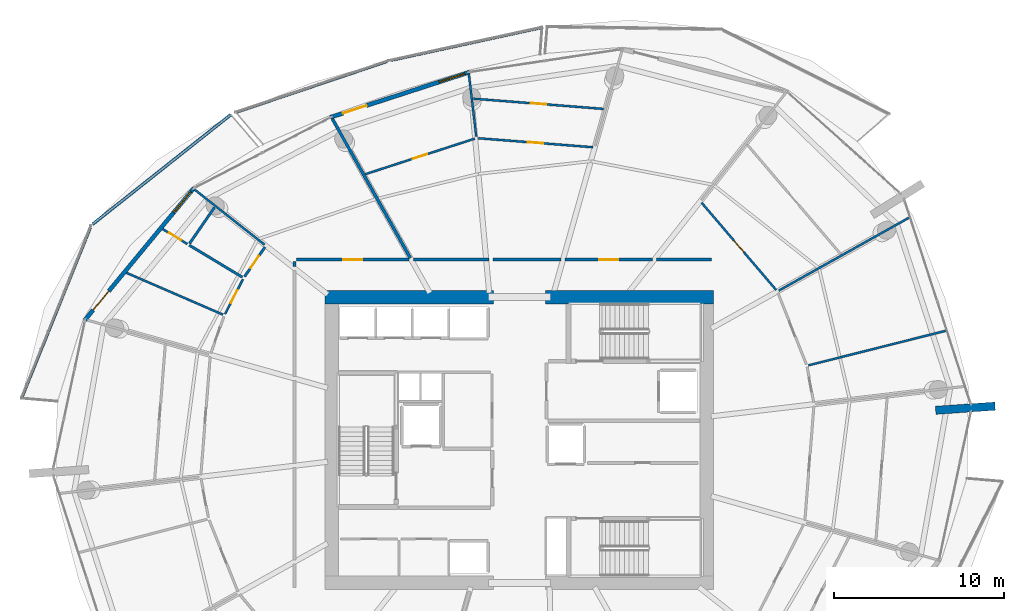
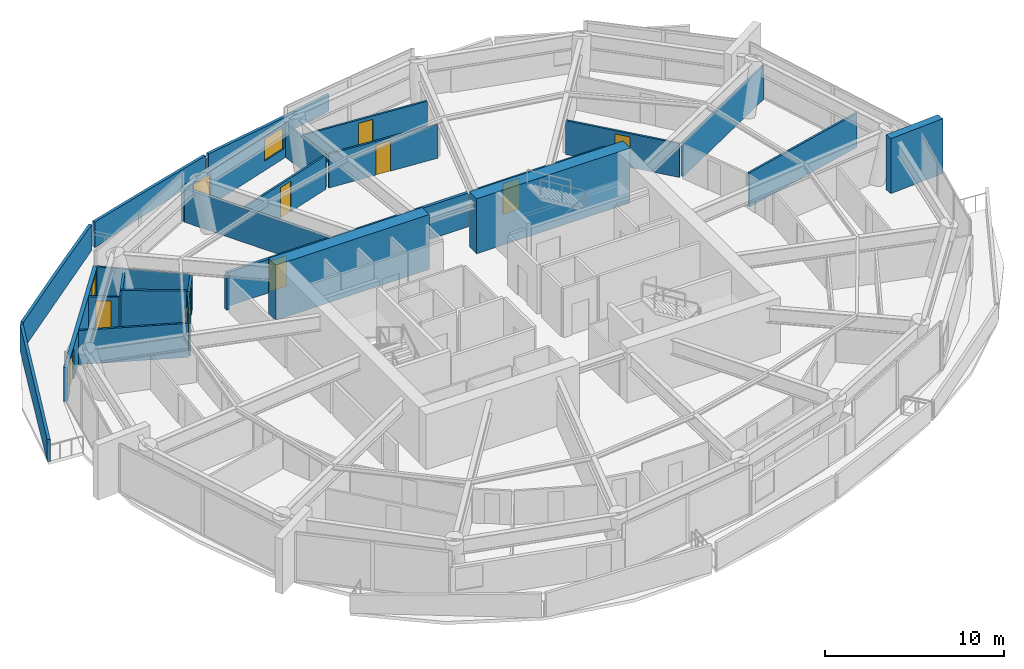
# One storey, part 13 of 19: 30 walls, 11 doors, 2 windows, 13 openings.
"""IFC4 building model written with IfcOpenShell, lengths in metres."""

from ifc_helpers import new_model, si_unit, direction, frame, frame_2d, origin, place, context, subcontext, project, spatial, polyline, rectangle, outline, extrude, material, layer, layer_set, type_object, element, fill, save


model = new_model("IFC4")

# Units and contexts
model_context = context("Model", 3, precision=1e-05, world=origin(), true_north=direction((0.0, 1.0)))
body_context = subcontext(model_context, "Body", "Model", "MODEL_VIEW")
ifc_project = project(units=[si_unit("LENGTHUNIT", "METRE"), si_unit("AREAUNIT", "SQUARE_METRE"), si_unit("VOLUMEUNIT", "CUBIC_METRE"), si_unit("PLANEANGLEUNIT", "RADIAN"), si_unit("MASSUNIT", "GRAM", prefix="KILO")], contexts=[model_context])

# Site, building, storey
site_placement = place(None, origin())
site = spatial("IfcSite", under=ifc_project, at=site_placement, CompositionType="ELEMENT")
building_placement = place(site_placement, origin())
building = spatial("IfcBuilding", under=site, at=building_placement, Name="Kazma Halo Residences", CompositionType="ELEMENT")
storey_placement = place(building_placement, frame((0.0, 0.0, 172.800048828125)))
storey = spatial("IfcBuildingStorey", under=building, at=storey_placement, Name="L43", CompositionType="ELEMENT", Elevation=172.800048828125)

# Walls
ifc_material_1 = material(Name="White Concrete C50/60 Balustrade", Category="concrete")
ifc_layer_1 = layer(ifc_material_1, 0.179931640625)
ifc_layer_set_1 = layer_set([ifc_layer_1], Name="White Concrete C50/60 Balustrade")
wall_type_1 = type_object("IfcWallType", Name="WL-BAL-WAVE-180", PredefinedType="PARAPET", material=ifc_layer_set_1)
wall_1_placement = place(storey_placement, frame((49.76025390625, 66.258544921875, 0.0), z_axis=(0.0, 0.0, 1.0), x_axis=(-0.977181934864, -0.212404016384, 0.0)))
element("IfcWall", 1, at=wall_1_placement, inside=storey, type_object=wall_type_1, Name="L43 white wave balustrade wall NNW.1", PredefinedType="PARAPET", context=body_context, shape_type="SweptSolid", body=[
    extrude(outline(polyline([(0.0, 0.0), (9.096435546875, 0.0), (9.096435546875, 1.347900390625), (4.54833984375, 1.181884765625), (0.0, 1.119873046875), (0.0, 0.0)])), frame((0.0, 0.08984375, 0.0), z_axis=(0.0, -1.0, 0.0), x_axis=(1.0, 0.0, 0.0)), (0.0, 0.0, 1.0), 0.179931640625),
])
wall_2_placement = place(storey_placement, frame((40.640380859375, 64.2626953125, 0.0), z_axis=(0.0, 0.0, 1.0), x_axis=(-0.947571676397, -0.319543296113, 0.0)))
element("IfcWall", 2, at=wall_2_placement, inside=storey, type_object=wall_type_1, Name="L43 white wave balustrade wall NNW.2", PredefinedType="PARAPET", context=body_context, shape_type="SweptSolid", body=[
    extrude(outline(polyline([(0.0, 0.0), (9.383056640625, 0.0), (9.383056640625, 1.7470703125), (4.69140625, 1.56201171875), (0.0, 1.347900390625), (0.0, 0.0)])), frame((0.0, 0.08984375, 0.0), z_axis=(0.0, -1.0, 0.0), x_axis=(1.0, 0.0, 0.0)), (0.0, 0.0, 1.0), 0.179931640625),
])
wall_3_placement = place(storey_placement, frame((31.46142578125, 61.12646484375, 0.0), z_axis=(0.0, 0.0, 1.0), x_axis=(-0.783643972098, -0.621210209989, 0.0)))
element("IfcWall", 3, at=wall_3_placement, inside=storey, type_object=wall_type_1, Name="L43 white wave balustrade wall NW.1", PredefinedType="PARAPET", context=body_context, shape_type="SweptSolid", body=[
    extrude(outline(polyline([(0.0, 0.0), (10.36474609375, 0.0), (10.36474609375, 1.83203125), (5.182373046875, 1.85302734375), (0.0, 1.755859375), (0.0, 0.0)])), frame((0.0, 0.08984375, 0.0), z_axis=(0.0, -1.0, 0.0), x_axis=(1.0, 0.0, 0.0)), (0.0, 0.0, 1.0), 0.179931640625),
])
wall_4_placement = place(storey_placement, frame((23.2001953125, 54.501953125, 0.0), z_axis=(0.0, 0.0, 1.0), x_axis=(-0.373952087888, -0.927448023322, 0.0)))
element("IfcWall", 4, at=wall_4_placement, inside=storey, type_object=wall_type_1, Name="L43 white wave balustrade wall NW.2", PredefinedType="PARAPET", context=body_context, shape_type="SweptSolid", body=[
    extrude(outline(polyline([(0.0, 0.0), (10.840087890625, 0.0), (10.840087890625, 1.4970703125), (5.420166015625, 1.696044921875), (0.0, 1.83203125), (0.0, 0.0)])), frame((0.0, 0.08984375, 0.0), z_axis=(0.0, -1.0, 0.0), x_axis=(1.0, 0.0, 0.0)), (0.0, 0.0, 1.0), 0.179931640625),
])
ifc_material_2 = material(Name="Pale Concrete C60/75", Category="concrete")
ifc_layer_2 = layer(ifc_material_2, 0.47998046875)
ifc_layer_set_2 = layer_set([ifc_layer_2], Name="Pale Concrete C60/75")
wall_type_2 = type_object("IfcWallType", Name="WL-BLADE-480", PredefinedType="SOLIDWALL", material=ifc_layer_set_2)
wall_5_placement = place(storey_placement, frame((72.89697265625, 43.740966796875, 0.0), z_axis=(0.0, 0.0, 1.0), x_axis=(0.997564163539, 0.069754853754, 0.0)))
element("IfcWall", 5, at=wall_5_placement, inside=storey, type_object=wall_type_2, Name="L43 pale concrete structural blade fin wall BW-04", PredefinedType="SOLIDWALL", context=body_context, shape_type="SweptSolid", body=[
    extrude(rectangle(XDim=3.5, YDim=0.47998046875, at=frame_2d((1.75, 0.0))), origin(), (0.0, 0.0, 1.0), 3.75),
])
ifc_material_3 = material(Name="Concrete C80/95", Category="concrete")
ifc_layer_3 = layer(ifc_material_3, 0.800048828125)
ifc_layer_set_3 = layer_set([ifc_layer_3], Name="Concrete C80/95")
wall_type_3 = type_object("IfcWallType", Name="WL-CORE-800", PredefinedType="SHEAR", material=ifc_layer_set_3)
wall_6_placement = place(storey_placement, frame((37.0, 50.39990234375, 0.0), z_axis=(0.0, 0.0, 1.0), x_axis=(1.0, 0.0, 0.0)))
element("IfcWall", 6, at=wall_6_placement, inside=storey, type_object=wall_type_3, Name="L43 central core shear wall NW", PredefinedType="SHEAR", context=body_context, shape_type="SweptSolid", body=[
    extrude(rectangle(XDim=9.89990234375, YDim=0.800048828125, at=frame_2d((4.949951171875, 0.0))), origin(), (0.0, 0.0, 1.0), 3.75),
])
wall_7_placement = place(storey_placement, frame((49.949951171875, 50.39990234375, 0.0), z_axis=(0.0, 0.0, 1.0), x_axis=(1.0, 0.0, 0.0)))
element("IfcWall", 7, at=wall_7_placement, inside=storey, type_object=wall_type_3, Name="L43 central core shear wall NE", PredefinedType="SHEAR", context=body_context, shape_type="SweptSolid", body=[
    extrude(rectangle(XDim=9.900146484375, YDim=0.800048828125, at=frame_2d((4.9501953125, 0.0))), origin(), (0.0, 0.0, 1.0), 3.75),
])
ifc_material_4 = material(Name="Acoustic Twin-Stud Gypsum")
ifc_layer_4 = layer(ifc_material_4, 0.179931640625)
ifc_layer_set_4 = layer_set([ifc_layer_4], Name="Acoustic Twin-Stud Gypsum")
wall_type_4 = type_object("IfcWallType", Name="WL-DEM-180", PredefinedType="PARTITIONING", material=ifc_layer_set_4)
wall_8_placement = place(storey_placement, frame((42.010009765625, 52.696044921875, 0.0), z_axis=(0.0, 0.0, 1.0), x_axis=(-0.488627157427, 0.872492693967, 0.0)))
element("IfcWall", 8, at=wall_8_placement, inside=storey, type_object=wall_type_4, Name="L43 apartment demising radial wall 04", PredefinedType="PARTITIONING", context=body_context, shape_type="SweptSolid", body=[
    extrude(rectangle(XDim=9.375244140625, YDim=0.179931640625, at=frame_2d((4.6875, 0.0))), origin(), (0.0, 0.0, 1.0), 2.306884765625),
])

# Wall, opening, door
wall_9_placement = place(storey_placement, frame((41.943603515625, 52.60009765625, 0.0), z_axis=(0.0, 0.0, 1.0), x_axis=(-1.0, 0.0, 0.0)))
wall_9 = element("IfcWall", 9, at=wall_9_placement, inside=storey, type_object=wall_type_4, Name="L43 Apartment 1 entrance corridor wall", PredefinedType="PARTITIONING", context=body_context, shape_type="SweptSolid", body=[
    extrude(rectangle(XDim=6.62353515625, YDim=0.179931640625, at=frame_2d((3.311767578125, 0.0))), origin(), (0.0, 0.0, 1.0), 2.306884765625),
])
opening_1_placement = place(wall_9_placement, frame((2.76171875, 0.0, 0.0)))
opening_1 = element("IfcOpeningElement", 10, at=opening_1_placement, cuts=wall_9, Name="Opening DA-1100", PredefinedType="OPENING", context=body_context, shape_type="SweptSolid", body=[
    extrude(rectangle(XDim=1.10009765625, YDim=2.10009765625, at=frame_2d((0.550048828125, 1.050048828125))), frame((0.0, 0.099853515625, 0.0), z_axis=(0.0, -1.0, 0.0), x_axis=(1.0, 0.0, 0.0)), (0.0, 0.0, 1.0), 0.199951171875),
])
ifc_material_5 = material(Name="Acoustic Walnut Fire Leaf")
door_type_1 = type_object("IfcDoorType", Name="DR-FD60-1100", OperationType="NOTDEFINED", PredefinedType="DOOR", material=ifc_material_5)
door_1_placement = place(opening_1_placement, origin())
door_1 = element("IfcDoor", 11, at=door_1_placement, inside=storey, type_object=door_type_1, Name="L43 Apartment 1 entrance fire door", OperationType="SINGLE_SWING_LEFT", OverallHeight=2.10009765625, OverallWidth=1.10009765625, PredefinedType="DOOR", context=body_context, shape_type="SweptSolid", body=[
    extrude(rectangle(XDim=1.10009765625, YDim=2.10009765625, at=frame_2d((0.550048828125, 1.050048828125))), frame((0.0, 0.02490234375, 0.0), z_axis=(0.0, -1.0, 0.0), x_axis=(1.0, 0.0, 0.0)), (0.0, 0.0, 1.0), 0.050048828125),
])
fill(opening_1, door_1)

# Wall
wall_10_placement = place(storey_placement, frame((35.199951171875, 52.47998046875, 0.0), z_axis=(0.0, 0.0, 1.0), x_axis=(0.0, -1.0, 0.0)))
element("IfcWall", 12, at=wall_10_placement, inside=storey, type_object=wall_type_4, Name="L43 Apartment 1 entrance corridor wall", PredefinedType="PARTITIONING", context=body_context, shape_type="SweptSolid", body=[
    extrude(rectangle(XDim=0.269287109375, YDim=0.179931640625, at=frame_2d((0.134765625, 0.0))), origin(), (0.0, 0.0, 1.0), 2.306884765625),
])

# Wall, opening, door
wall_11_placement = place(storey_placement, frame((56.236328125, 52.60009765625, 0.0), z_axis=(0.0, 0.0, 1.0), x_axis=(-1.0, 0.0, 0.0)))
wall_11 = element("IfcWall", 13, at=wall_11_placement, inside=storey, type_object=wall_type_4, Name="L43 Apartment 2 entrance corridor wall", PredefinedType="PARTITIONING", context=body_context, shape_type="SweptSolid", body=[
    extrude(rectangle(XDim=5.126708984375, YDim=0.179931640625, at=frame_2d((2.5634765625, 0.0))), origin(), (0.0, 0.0, 1.0), 2.306884765625),
])
opening_2_placement = place(wall_11_placement, frame((2.013427734375, 0.0, 0.0)))
opening_2 = element("IfcOpeningElement", 14, at=opening_2_placement, cuts=wall_11, Name="Opening DA-1100", PredefinedType="OPENING", context=body_context, shape_type="SweptSolid", body=[
    extrude(rectangle(XDim=1.10009765625, YDim=2.10009765625, at=frame_2d((0.550048828125, 1.050048828125))), frame((0.0, 0.099853515625, 0.0), z_axis=(0.0, -1.0, 0.0), x_axis=(1.0, 0.0, 0.0)), (0.0, 0.0, 1.0), 0.199951171875),
])
door_2_placement = place(opening_2_placement, origin())
door_2 = element("IfcDoor", 15, at=door_2_placement, inside=storey, type_object=door_type_1, Name="L43 Apartment 2 entrance fire door", OperationType="SINGLE_SWING_RIGHT", OverallHeight=2.10009765625, OverallWidth=1.10009765625, PredefinedType="DOOR", context=body_context, shape_type="SweptSolid", body=[
    extrude(rectangle(XDim=1.10009765625, YDim=2.10009765625, at=frame_2d((0.550048828125, 1.050048828125))), frame((0.0, 0.02490234375, 0.0), z_axis=(0.0, -1.0, 0.0), x_axis=(1.0, 0.0, 0.0)), (0.0, 0.0, 1.0), 0.050048828125),
])
fill(opening_2, door_2)

# Walls
wall_12_placement = place(storey_placement, frame((59.72998046875, 52.60009765625, 0.0), z_axis=(0.0, 0.0, 1.0), x_axis=(-1.0, 0.0, 0.0)))
element("IfcWall", 16, at=wall_12_placement, inside=storey, type_object=wall_type_4, Name="L43 Apartment 2 inner wall 0", PredefinedType="PARTITIONING", context=body_context, shape_type="SweptSolid", body=[
    extrude(rectangle(XDim=3.253662109375, YDim=0.179931640625, at=frame_2d((1.626953125, 0.0))), origin(), (0.0, 0.0, 1.0), 2.306884765625),
])
wall_13_placement = place(storey_placement, frame((50.869384765625, 52.60009765625, 0.0), z_axis=(0.0, 0.0, 1.0), x_axis=(-1.0, 0.0, 0.0)))
element("IfcWall", 17, at=wall_13_placement, inside=storey, type_object=wall_type_4, Name="L43 Apartment 2 inner wall 2", PredefinedType="PARTITIONING", context=body_context, shape_type="SweptSolid", body=[
    extrude(rectangle(XDim=4.00390625, YDim=0.179931640625, at=frame_2d((2.001953125, 0.0))), origin(), (0.0, 0.0, 1.0), 2.306884765625),
])
wall_14_placement = place(storey_placement, frame((46.62548828125, 52.60009765625, 0.0), z_axis=(0.0, 0.0, 1.0), x_axis=(-1.0, 0.0, 0.0)))
element("IfcWall", 18, at=wall_14_placement, inside=storey, type_object=wall_type_4, Name="L43 Apartment 2 inner wall 3", PredefinedType="PARTITIONING", context=body_context, shape_type="SweptSolid", body=[
    extrude(rectangle(XDim=4.44189453125, YDim=0.179931640625, at=frame_2d((2.220947265625, 0.0))), origin(), (0.0, 0.0, 1.0), 2.306884765625),
])

# Wall, openings, door, window
ifc_material_6 = material(Name="Insulated Pale-Metal Composite Wall")
ifc_layer_5 = layer(ifc_material_6, 0.239990234375)
ifc_layer_set_5 = layer_set([ifc_layer_5], Name="Insulated Pale-Metal Composite Wall")
wall_type_5 = type_object("IfcWallType", Name="WL-EXT-HOST-240", PredefinedType="SOLIDWALL", material=ifc_layer_set_5)
wall_15_placement = place(storey_placement, frame((45.489990234375, 63.624267578125, 0.0), z_axis=(0.0, 0.0, 1.0), x_axis=(-0.951046390632, -0.309048156224, 0.0)))
wall_15 = element("IfcWall", 19, at=wall_15_placement, inside=storey, type_object=wall_type_5, Name="L43 exterior terrace-access wall B04", PredefinedType="SOLIDWALL", context=body_context, shape_type="SweptSolid", body=[
    extrude(rectangle(XDim=8.590087890625, YDim=0.239990234375, at=frame_2d((4.294921875, 0.0))), origin(), (0.0, 0.0, 1.0), 2.300048828125),
])
opening_3_placement = place(wall_15_placement, frame((6.370361328125, 0.0, 0.0)))
opening_3 = element("IfcOpeningElement", 20, at=opening_3_placement, cuts=wall_15, Name="Opening DTR-1600", PredefinedType="OPENING", context=body_context, shape_type="SweptSolid", body=[
    extrude(rectangle(XDim=1.449951171875, YDim=2.14990234375, at=frame_2d((0.72509765625, 1.074951171875))), frame((0.0, 0.1298828125, 0.0), z_axis=(0.0, -1.0, 0.0), x_axis=(1.0, 0.0, 0.0)), (0.0, 0.0, 1.0), 0.260009765625),
])
opening_4_placement = place(wall_15_placement, frame((0.280029296875, 0.0, 0.64990234375)))
opening_4 = element("IfcOpeningElement", 21, at=opening_4_placement, cuts=wall_15, Name="Opening W-1800", PredefinedType="OPENING", context=body_context, shape_type="SweptSolid", body=[
    extrude(rectangle(XDim=1.60009765625, YDim=1.5, at=frame_2d((0.800048828125, 0.75))), frame((0.0, 0.1298828125, 0.0), z_axis=(0.0, -1.0, 0.0), x_axis=(1.0, 0.0, 0.0)), (0.0, 0.0, 1.0), 0.260009765625),
])
ifc_material_7 = material(Name="Aluminium AW-6063 T6 Double-Glazed Terrace Door", Category="aluminium")
door_type_2 = type_object("IfcDoorType", Name="DR-EXT-TERR-1600", OperationType="NOTDEFINED", PredefinedType="DOOR", material=ifc_material_7)
door_3_placement = place(opening_3_placement, origin())
door_3 = element("IfcDoor", 22, at=door_3_placement, inside=storey, type_object=door_type_2, Name="L43 B04 balcony terrace door", OperationType="DOUBLE_DOOR_SLIDING", OverallHeight=2.14990234375, OverallWidth=1.449951171875, PredefinedType="DOOR", context=body_context, shape_type="SweptSolid", body=[
    extrude(rectangle(XDim=1.449951171875, YDim=2.14990234375, at=frame_2d((0.72509765625, 1.074951171875))), frame((0.0, 0.02490234375, 0.0), z_axis=(0.0, -1.0, 0.0), x_axis=(1.0, 0.0, 0.0)), (0.0, 0.0, 1.0), 0.050048828125),
])
fill(opening_3, door_3)
ifc_material_8 = material(Name="Clear Triple-Silver Low-E Glass in Aluminium AW-6063 T6 Frame", Category="aluminium")
window_type = type_object("IfcWindowType", Name="WIN-RES-1800", PartitioningType="DOUBLE_PANEL_VERTICAL", PredefinedType="WINDOW", material=ifc_material_8)
window_1_placement = place(opening_4_placement, origin())
window_1 = element("IfcWindow", 23, at=window_1_placement, inside=storey, type_object=window_type, Name="L43 B04 apartment window", OverallHeight=1.5, OverallWidth=1.60009765625, PartitioningType="SINGLE_PANEL", PredefinedType="WINDOW", context=body_context, shape_type="SweptSolid", body=[
    extrude(rectangle(XDim=1.60009765625, YDim=1.5, at=frame_2d((0.800048828125, 0.75))), frame((0.0, 0.030029296875, 0.0), z_axis=(0.0, -1.0, 0.0), x_axis=(1.0, 0.0, 0.0)), (0.0, 0.0, 1.0), 0.06005859375),
])
fill(opening_4, window_1)

wall_16_placement = place(storey_placement, frame((29.29052734375, 56.81298828125, 0.0), z_axis=(0.0, 0.0, 1.0), x_axis=(-0.636771922292, -0.77105221547, 0.0)))
wall_16 = element("IfcWall", 24, at=wall_16_placement, inside=storey, type_object=wall_type_5, Name="L43 exterior terrace-access wall B06", PredefinedType="SOLIDWALL", context=body_context, shape_type="SweptSolid", body=[
    extrude(rectangle(XDim=10.08154296875, YDim=0.239990234375, at=frame_2d((5.040771484375, 0.0))), origin(), (0.0, 0.0, 1.0), 2.300048828125),
])
opening_5_placement = place(wall_16_placement, frame((7.861572265625, 0.0, 0.0)))
opening_5 = element("IfcOpeningElement", 25, at=opening_5_placement, cuts=wall_16, Name="Opening DTR-1600", PredefinedType="OPENING", context=body_context, shape_type="SweptSolid", body=[
    extrude(rectangle(XDim=1.449951171875, YDim=2.14990234375, at=frame_2d((0.72509765625, 1.074951171875))), frame((0.0, 0.1298828125, 0.0), z_axis=(0.0, -1.0, 0.0), x_axis=(1.0, 0.0, 0.0)), (0.0, 0.0, 1.0), 0.260009765625),
])
opening_6_placement = place(wall_16_placement, frame((0.280029296875, 0.0, 0.64990234375)))
opening_6 = element("IfcOpeningElement", 26, at=opening_6_placement, cuts=wall_16, Name="Opening W-1800", PredefinedType="OPENING", context=body_context, shape_type="SweptSolid", body=[
    extrude(rectangle(XDim=1.60009765625, YDim=1.5, at=frame_2d((0.800048828125, 0.75))), frame((0.0, 0.1298828125, 0.0), z_axis=(0.0, -1.0, 0.0), x_axis=(1.0, 0.0, 0.0)), (0.0, 0.0, 1.0), 0.260009765625),
])
door_4_placement = place(opening_5_placement, origin())
door_4 = element("IfcDoor", 27, at=door_4_placement, inside=storey, type_object=door_type_2, Name="L43 B06 balcony terrace door", OperationType="DOUBLE_DOOR_SLIDING", OverallHeight=2.14990234375, OverallWidth=1.449951171875, PredefinedType="DOOR", context=body_context, shape_type="SweptSolid", body=[
    extrude(rectangle(XDim=1.449951171875, YDim=2.14990234375, at=frame_2d((0.72509765625, 1.074951171875))), frame((0.0, 0.02490234375, 0.0), z_axis=(0.0, -1.0, 0.0), x_axis=(1.0, 0.0, 0.0)), (0.0, 0.0, 1.0), 0.050048828125),
])
fill(opening_5, door_4)
window_2_placement = place(opening_6_placement, origin())
window_2 = element("IfcWindow", 28, at=window_2_placement, inside=storey, type_object=window_type, Name="L43 B06 apartment window", OverallHeight=1.5, OverallWidth=1.60009765625, PartitioningType="SINGLE_PANEL", PredefinedType="WINDOW", context=body_context, shape_type="SweptSolid", body=[
    extrude(rectangle(XDim=1.60009765625, YDim=1.5, at=frame_2d((0.800048828125, 0.75))), frame((0.0, 0.030029296875, 0.0), z_axis=(0.0, -1.0, 0.0), x_axis=(1.0, 0.0, 0.0)), (0.0, 0.0, 1.0), 0.06005859375),
])
fill(opening_6, window_2)

# Wall
ifc_material_9 = material(Name="Gypsum Plasterboard Partition")
ifc_layer_6 = layer(ifc_material_9, 0.125)
ifc_layer_set_6 = layer_set([ifc_layer_6], Name="Gypsum Plasterboard Partition")
wall_type_6 = type_object("IfcWallType", Name="WL-PART-125", PredefinedType="PARTITIONING", material=ifc_layer_set_6)
wall_17_placement = place(storey_placement, frame((33.44091796875, 53.477294921875, 0.0), z_axis=(0.0, 0.0, 1.0), x_axis=(-0.785319981095, 0.619090080112, 0.0)))
element("IfcWall", 29, at=wall_17_placement, inside=storey, type_object=wall_type_6, Name="L43 Apartment 1 radial partition 5", PredefinedType="PARTITIONING", context=body_context, shape_type="SweptSolid", body=[
    extrude(rectangle(XDim=5.300537109375, YDim=0.125, at=frame_2d((2.650390625, 0.0))), origin(), (0.0, 0.0, 1.0), 2.306884765625),
])

# Wall, opening, door
wall_18_placement = place(storey_placement, frame((28.90087890625, 53.51904296875, 0.0), z_axis=(0.0, 0.0, 1.0), x_axis=(-0.856306503803, 0.516467977269, 0.0)))
wall_18 = element("IfcWall", 30, at=wall_18_placement, inside=storey, type_object=wall_type_6, Name="L43 Apartment 1 Utility Laundry Room partition wall", PredefinedType="PARTITIONING", context=body_context, shape_type="SweptSolid", body=[
    extrude(rectangle(XDim=1.69189453125, YDim=0.125, at=frame_2d((0.845947265625, 0.0))), origin(), (0.0, 0.0, 1.0), 2.324951171875),
])
opening_7_placement = place(wall_18_placement, frame((0.4208984375, 0.0, 0.0)))
opening_7 = element("IfcOpeningElement", 31, at=opening_7_placement, cuts=wall_18, Name="Opening DB-900", PredefinedType="OPENING", context=body_context, shape_type="SweptSolid", body=[
    extrude(rectangle(XDim=0.85009765625, YDim=2.06005859375, at=frame_2d((0.425048828125, 1.030029296875))), frame((0.0, 0.072509765625, 0.0), z_axis=(0.0, -1.0, 0.0), x_axis=(1.0, 0.0, 0.0)), (0.0, 0.0, 1.0), 0.14501953125),
])
ifc_material_10 = material(Name="Moisture-Sealed Timber Leaf", Category="wood")
door_type_3 = type_object("IfcDoorType", Name="DR-BTH-900", OperationType="NOTDEFINED", PredefinedType="DOOR", material=ifc_material_10)
door_5_placement = place(opening_7_placement, origin())
door_5 = element("IfcDoor", 32, at=door_5_placement, inside=storey, type_object=door_type_3, Name="L43 Apartment 1 Utility Laundry Room door", OperationType="SINGLE_SWING_RIGHT", OverallHeight=2.06005859375, OverallWidth=0.85009765625, PredefinedType="DOOR", context=body_context, shape_type="SweptSolid", body=[
    extrude(rectangle(XDim=0.85009765625, YDim=2.06005859375, at=frame_2d((0.425048828125, 1.030029296875))), frame((0.0, 0.02490234375, 0.0), z_axis=(0.0, -1.0, 0.0), x_axis=(1.0, 0.0, 0.0)), (0.0, 0.0, 1.0), 0.050048828125),
])
fill(opening_7, door_5)

# Wall
wall_19_placement = place(storey_placement, frame((30.997802734375, 49.365478515625, 0.0), z_axis=(0.0, 0.0, 1.0), x_axis=(-0.917591640713, 0.397524314845, 0.0)))
element("IfcWall", 33, at=wall_19_placement, inside=storey, type_object=wall_type_6, Name="L43 Apartment 1 suite divider 5", PredefinedType="PARTITIONING", context=body_context, shape_type="SweptSolid", body=[
    extrude(rectangle(XDim=6.18212890625, YDim=0.125, at=frame_2d((3.091064453125, 0.0))), origin(), (0.0, 0.0, 1.0), 2.324951171875),
])

# Wall, opening, door
wall_20_placement = place(storey_placement, frame((32.169189453125, 51.443115234375, 0.0), z_axis=(0.0, 0.0, 1.0), x_axis=(-0.458020211203, -0.888941778819, 0.0)))
wall_20 = element("IfcWall", 34, at=wall_20_placement, inside=storey, type_object=wall_type_6, Name="L43 Apartment 1 Gourmet Kitchen hall wall", PredefinedType="PARTITIONING", context=body_context, shape_type="SweptSolid", body=[
    extrude(rectangle(XDim=2.29736328125, YDim=0.125, at=frame_2d((1.148681640625, 0.0))), origin(), (0.0, 0.0, 1.0), 2.7900390625),
])
opening_8_placement = place(wall_20_placement, frame((0.7236328125, 0.0, 0.0)))
opening_8 = element("IfcOpeningElement", 35, at=opening_8_placement, cuts=wall_20, Name="Opening DB-900", PredefinedType="OPENING", context=body_context, shape_type="SweptSolid", body=[
    extrude(rectangle(XDim=0.85009765625, YDim=2.06005859375, at=frame_2d((0.425048828125, 1.030029296875))), frame((0.0, 0.072509765625, 0.0), z_axis=(0.0, -1.0, 0.0), x_axis=(1.0, 0.0, 0.0)), (0.0, 0.0, 1.0), 0.14501953125),
])
door_6_placement = place(opening_8_placement, origin())
door_6 = element("IfcDoor", 36, at=door_6_placement, inside=storey, type_object=door_type_3, Name="L43 Apartment 1 Gourmet Kitchen door", OperationType="SINGLE_SWING_LEFT", OverallHeight=2.06005859375, OverallWidth=0.85009765625, PredefinedType="DOOR", context=body_context, shape_type="SweptSolid", body=[
    extrude(rectangle(XDim=0.85009765625, YDim=2.06005859375, at=frame_2d((0.425048828125, 1.030029296875))), frame((0.0, 0.02490234375, 0.0), z_axis=(0.0, -1.0, 0.0), x_axis=(1.0, 0.0, 0.0)), (0.0, 0.0, 1.0), 0.050048828125),
])
fill(opening_8, door_6)

# Walls
wall_21_placement = place(storey_placement, frame((65.41650390625, 46.384521484375, 0.0), z_axis=(0.0, 0.0, 1.0), x_axis=(0.969748364616, 0.244106758047, 0.0)))
element("IfcWall", 37, at=wall_21_placement, inside=storey, type_object=wall_type_6, Name="L43 Apartment 2 mid-bay wall 15", PredefinedType="PARTITIONING", context=body_context, shape_type="SweptSolid", body=[
    extrude(rectangle(XDim=8.37109375, YDim=0.125, at=frame_2d((4.185546875, 0.0))), origin(), (0.0, 0.0, 1.0), 2.324951171875),
])
wall_22_placement = place(storey_placement, frame((63.6787109375, 50.780517578125, 0.0), z_axis=(0.0, 0.0, 1.0), x_axis=(0.872493265844, 0.488626136281, 0.0)))
element("IfcWall", 38, at=wall_22_placement, inside=storey, type_object=wall_type_6, Name="L43 Apartment 2 radial partition 0", PredefinedType="PARTITIONING", context=body_context, shape_type="SweptSolid", body=[
    extrude(rectangle(XDim=8.816162109375, YDim=0.125, at=frame_2d((4.408203125, 0.0))), origin(), (0.0, 0.0, 1.0), 2.306884765625),
])

# Wall, opening, door
wall_23_placement = place(storey_placement, frame((63.52001953125, 50.815185546875, 0.0), z_axis=(0.0, 0.0, 1.0), x_axis=(-0.649447526186, 0.760406411553, 0.0)))
wall_23 = element("IfcWall", 39, at=wall_23_placement, inside=storey, type_object=wall_type_6, Name="L43 Apartment 2 Gulf Study hall wall", PredefinedType="PARTITIONING", context=body_context, shape_type="SweptSolid", body=[
    extrude(rectangle(XDim=6.752685546875, YDim=0.125, at=frame_2d((3.37646484375, 0.0))), origin(), (0.0, 0.0, 1.0), 2.306884765625),
])
opening_9_placement = place(wall_23_placement, frame((2.92626953125, 0.0, 0.0)))
opening_9 = element("IfcOpeningElement", 40, at=opening_9_placement, cuts=wall_23, Name="Opening DI-950", PredefinedType="OPENING", context=body_context, shape_type="SweptSolid", body=[
    extrude(rectangle(XDim=0.89990234375, YDim=2.080078125, at=frame_2d((0.449951171875, 1.0400390625))), frame((0.0, 0.072509765625, 0.0), z_axis=(0.0, -1.0, 0.0), x_axis=(1.0, 0.0, 0.0)), (0.0, 0.0, 1.0), 0.14501953125),
])
ifc_material_11 = material(Name="Timber Veneer Flush Leaf", Category="wood")
door_type_4 = type_object("IfcDoorType", Name="DR-INT-950", OperationType="NOTDEFINED", PredefinedType="DOOR", material=ifc_material_11)
door_7_placement = place(opening_9_placement, origin())
door_7 = element("IfcDoor", 41, at=door_7_placement, inside=storey, type_object=door_type_4, Name="L43 Apartment 2 Gulf Study door", OperationType="SINGLE_SWING_RIGHT", OverallHeight=2.080078125, OverallWidth=0.89990234375, PredefinedType="DOOR", context=body_context, shape_type="SweptSolid", body=[
    extrude(rectangle(XDim=0.89990234375, YDim=2.080078125, at=frame_2d((0.449951171875, 1.0400390625))), frame((0.0, 0.02490234375, 0.0), z_axis=(0.0, -1.0, 0.0), x_axis=(1.0, 0.0, 0.0)), (0.0, 0.0, 1.0), 0.050048828125),
])
fill(opening_9, door_7)

wall_24_placement = place(storey_placement, frame((52.740966796875, 59.207763671875, 0.0), z_axis=(0.0, 0.0, 1.0), x_axis=(-0.996917452966, 0.078457580711, 0.0)))
wall_24 = element("IfcWall", 42, at=wall_24_placement, inside=storey, type_object=wall_type_6, Name="L43 Apartment 2 Secondary Study hall wall", PredefinedType="PARTITIONING", context=body_context, shape_type="SweptSolid", body=[
    extrude(rectangle(XDim=6.75244140625, YDim=0.125, at=frame_2d((3.376220703125, 0.0))), origin(), (0.0, 0.0, 1.0), 2.306884765625),
])
opening_10_placement = place(wall_24_placement, frame((2.92626953125, 0.0, 0.0)))
opening_10 = element("IfcOpeningElement", 43, at=opening_10_placement, cuts=wall_24, Name="Opening DI-950", PredefinedType="OPENING", context=body_context, shape_type="SweptSolid", body=[
    extrude(rectangle(XDim=0.89990234375, YDim=2.080078125, at=frame_2d((0.449951171875, 1.0400390625))), frame((0.0, 0.072509765625, 0.0), z_axis=(0.0, -1.0, 0.0), x_axis=(1.0, 0.0, 0.0)), (0.0, 0.0, 1.0), 0.14501953125),
])
door_8_placement = place(opening_10_placement, origin())
door_8 = element("IfcDoor", 44, at=door_8_placement, inside=storey, type_object=door_type_4, Name="L43 Apartment 2 Secondary Study door", OperationType="SINGLE_SWING_RIGHT", OverallHeight=2.080078125, OverallWidth=0.89990234375, PredefinedType="DOOR", context=body_context, shape_type="SweptSolid", body=[
    extrude(rectangle(XDim=0.89990234375, YDim=2.080078125, at=frame_2d((0.449951171875, 1.0400390625))), frame((0.0, 0.02490234375, 0.0), z_axis=(0.0, -1.0, 0.0), x_axis=(1.0, 0.0, 0.0)), (0.0, 0.0, 1.0), 0.050048828125),
])
fill(opening_10, door_8)

wall_25_placement = place(storey_placement, frame((53.37646484375, 61.460693359375, 0.0), z_axis=(0.0, 0.0, 1.0), x_axis=(-0.996916336075, 0.078471771143, 0.0)))
wall_25 = element("IfcWall", 45, at=wall_25_placement, inside=storey, type_object=wall_type_6, Name="L43 Apartment 2 East Bedroom divider wall", PredefinedType="PARTITIONING", context=body_context, shape_type="SweptSolid", body=[
    extrude(rectangle(XDim=7.666015625, YDim=0.125, at=frame_2d((3.8330078125, 0.0))), origin(), (0.0, 0.0, 1.0), 2.306884765625),
])
opening_11_placement = place(wall_25_placement, frame((3.3828125, 0.0, 0.0)))
opening_11 = element("IfcOpeningElement", 46, at=opening_11_placement, cuts=wall_25, Name="Opening DI-950", PredefinedType="OPENING", context=body_context, shape_type="SweptSolid", body=[
    extrude(rectangle(XDim=0.89990234375, YDim=2.080078125, at=frame_2d((0.449951171875, 1.0400390625))), frame((0.0, 0.072509765625, 0.0), z_axis=(0.0, -1.0, 0.0), x_axis=(1.0, 0.0, 0.0)), (0.0, 0.0, 1.0), 0.14501953125),
])
door_9_placement = place(opening_11_placement, origin())
door_9 = element("IfcDoor", 47, at=door_9_placement, inside=storey, type_object=door_type_4, Name="L43 Apartment 2 East Bedroom door", OperationType="SINGLE_SWING_LEFT", OverallHeight=2.080078125, OverallWidth=0.89990234375, PredefinedType="DOOR", context=body_context, shape_type="SweptSolid", body=[
    extrude(rectangle(XDim=0.89990234375, YDim=2.080078125, at=frame_2d((0.449951171875, 1.0400390625))), frame((0.0, 0.02490234375, 0.0), z_axis=(0.0, -1.0, 0.0), x_axis=(1.0, 0.0, 0.0)), (0.0, 0.0, 1.0), 0.050048828125),
])
fill(opening_11, door_9)

# Wall
wall_26_placement = place(storey_placement, frame((45.8876953125, 59.845458984375, 0.0), z_axis=(0.0, 0.0, 1.0), x_axis=(-0.117510984651, 0.99307158276, 0.0)))
element("IfcWall", 48, at=wall_26_placement, inside=storey, type_object=wall_type_6, Name="L43 Apartment 2 radial partition 3", PredefinedType="PARTITIONING", context=body_context, shape_type="SweptSolid", body=[
    extrude(rectangle(XDim=3.7646484375, YDim=0.125, at=frame_2d((1.88232421875, 0.0))), origin(), (0.0, 0.0, 1.0), 2.306884765625),
])

# Wall, opening, door
wall_27_placement = place(storey_placement, frame((45.794921875, 59.712158203125, 0.0), z_axis=(0.0, 0.0, 1.0), x_axis=(-0.951056650279, -0.309016582016, 0.0)))
wall_27 = element("IfcWall", 49, at=wall_27_placement, inside=storey, type_object=wall_type_6, Name="L43 Apartment 2 West Master Bedroom gallery wall", PredefinedType="PARTITIONING", context=body_context, shape_type="SweptSolid", body=[
    extrude(rectangle(XDim=6.752685546875, YDim=0.125, at=frame_2d((3.37646484375, 0.0))), origin(), (0.0, 0.0, 1.0), 2.306884765625),
])
opening_12_placement = place(wall_27_placement, frame((2.92626953125, 0.0, 0.0)))
opening_12 = element("IfcOpeningElement", 50, at=opening_12_placement, cuts=wall_27, Name="Opening DI-950", PredefinedType="OPENING", context=body_context, shape_type="SweptSolid", body=[
    extrude(rectangle(XDim=0.89990234375, YDim=2.080078125, at=frame_2d((0.449951171875, 1.0400390625))), frame((0.0, 0.072509765625, 0.0), z_axis=(0.0, -1.0, 0.0), x_axis=(1.0, 0.0, 0.0)), (0.0, 0.0, 1.0), 0.14501953125),
])
door_10_placement = place(opening_12_placement, origin())
door_10 = element("IfcDoor", 51, at=door_10_placement, inside=storey, type_object=door_type_4, Name="L43 Apartment 2 West Master Bedroom door", OperationType="SINGLE_SWING_LEFT", OverallHeight=2.080078125, OverallWidth=0.89990234375, PredefinedType="DOOR", context=body_context, shape_type="SweptSolid", body=[
    extrude(rectangle(XDim=0.89990234375, YDim=2.080078125, at=frame_2d((0.449951171875, 1.0400390625))), frame((0.0, 0.02490234375, 0.0), z_axis=(0.0, -1.0, 0.0), x_axis=(1.0, 0.0, 0.0)), (0.0, 0.0, 1.0), 0.050048828125),
])
fill(opening_12, door_10)

ifc_material_12 = material(Name="Moisture-Resistant Gypsum")
ifc_layer_7 = layer(ifc_material_12, 0.14990234375)
ifc_layer_set_7 = layer_set([ifc_layer_7], Name="Moisture-Resistant Gypsum")
wall_type_7 = type_object("IfcWallType", Name="WL-WET-150", PredefinedType="PARTITIONING", material=ifc_layer_set_7)
wall_28_placement = place(storey_placement, frame((33.462646484375, 53.333251953125, 0.0), z_axis=(0.0, 0.0, 1.0), x_axis=(-0.568843105688, -0.822446059697, 0.0)))
wall_28 = element("IfcWall", 52, at=wall_28_placement, inside=storey, type_object=wall_type_7, Name="L43 Apartment 1 Guest Bathroom hall wall", PredefinedType="PARTITIONING", context=body_context, shape_type="SweptSolid", body=[
    extrude(rectangle(XDim=2.111083984375, YDim=0.14990234375, at=frame_2d((1.0556640625, 0.0))), origin(), (0.0, 0.0, 1.0), 2.306884765625),
])
opening_13_placement = place(wall_28_placement, frame((0.630615234375, 0.0, 0.0)))
opening_13 = element("IfcOpeningElement", 53, at=opening_13_placement, cuts=wall_28, Name="Opening DB-900", PredefinedType="OPENING", context=body_context, shape_type="SweptSolid", body=[
    extrude(rectangle(XDim=0.85009765625, YDim=2.06005859375, at=frame_2d((0.425048828125, 1.030029296875))), frame((0.0, 0.0849609375, 0.0), z_axis=(0.0, -1.0, 0.0), x_axis=(1.0, 0.0, 0.0)), (0.0, 0.0, 1.0), 0.169921875),
])
door_11_placement = place(opening_13_placement, origin())
door_11 = element("IfcDoor", 54, at=door_11_placement, inside=storey, type_object=door_type_3, Name="L43 Apartment 1 Guest Bathroom door", OperationType="SINGLE_SWING_LEFT", OverallHeight=2.06005859375, OverallWidth=0.85009765625, PredefinedType="DOOR", context=body_context, shape_type="SweptSolid", body=[
    extrude(rectangle(XDim=0.85009765625, YDim=2.06005859375, at=frame_2d((0.425048828125, 1.030029296875))), frame((0.0, 0.02490234375, 0.0), z_axis=(0.0, -1.0, 0.0), x_axis=(1.0, 0.0, 0.0)), (0.0, 0.0, 1.0), 0.050048828125),
])
fill(opening_13, door_11)

# Walls
wall_29_placement = place(storey_placement, frame((30.498046875, 55.67041015625, 0.0), z_axis=(0.0, 0.0, 1.0), x_axis=(-0.56886579211, -0.822430368218, 0.0)))
element("IfcWall", 55, at=wall_29_placement, inside=storey, type_object=wall_type_7, Name="L43 Apartment 1 Guest Bathroom back wall", PredefinedType="PARTITIONING", context=body_context, shape_type="SweptSolid", body=[
    extrude(rectangle(XDim=2.582275390625, YDim=0.14990234375, at=frame_2d((1.291015625, 0.0))), origin(), (0.0, 0.0, 1.0), 2.306884765625),
])
wall_30_placement = place(storey_placement, frame((32.13330078125, 51.569580078125, 0.0), z_axis=(0.0, 0.0, 1.0), x_axis=(-0.856320461768, 0.516444834186, 0.0)))
element("IfcWall", 56, at=wall_30_placement, inside=storey, type_object=wall_type_7, Name="L43 Apartment 1 Guest Bathroom side wall", PredefinedType="PARTITIONING", context=body_context, shape_type="SweptSolid", body=[
    extrude(rectangle(XDim=3.644775390625, YDim=0.14990234375, at=frame_2d((1.822265625, 0.0))), origin(), (0.0, 0.0, 1.0), 2.7900390625),
])

save(model, "model.ifc")
